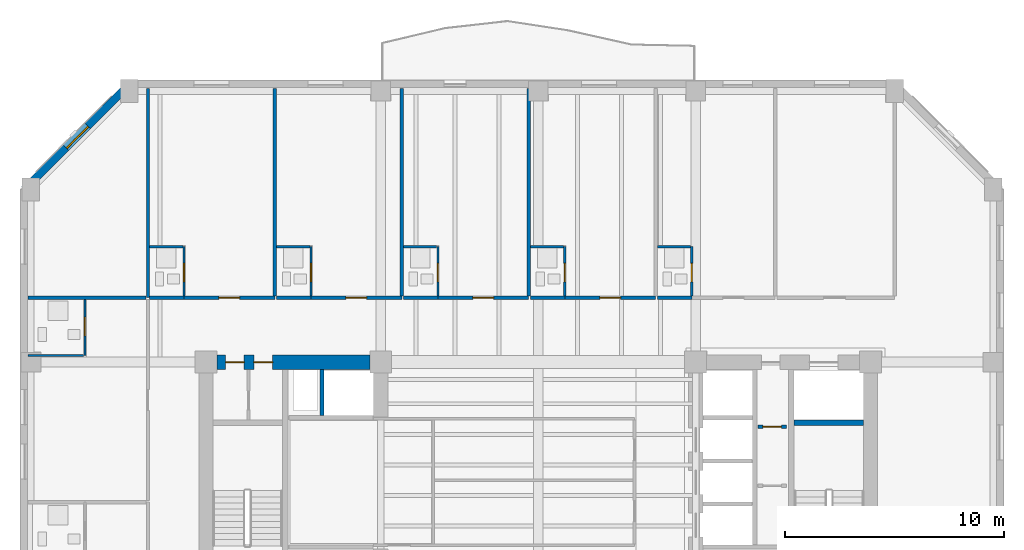
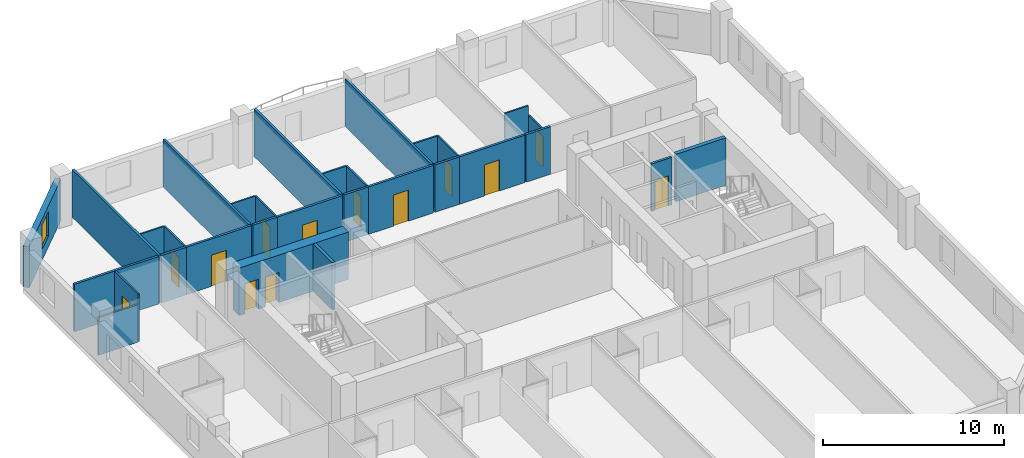
# One storey, part 5 of 11: 31 walls, 13 doors, 1 window, 14 openings.
"""IFC4 building model written with IfcOpenShell, lengths in metres."""

from ifc_helpers import new_model, si_unit, direction, frame, frame_2d, origin, place, context, subcontext, project, spatial, rectangle, extrude, material, layer, layer_set, type_object, element, fill, save


model = new_model("IFC4")

# Units and contexts
model_context = context("Model", 3, precision=1e-05, world=origin(), true_north=direction((0.0, 1.0)))
body_context = subcontext(model_context, "Body", "Model", "MODEL_VIEW")
ifc_project = project(units=[si_unit("LENGTHUNIT", "METRE"), si_unit("AREAUNIT", "SQUARE_METRE"), si_unit("VOLUMEUNIT", "CUBIC_METRE"), si_unit("PLANEANGLEUNIT", "RADIAN"), si_unit("MASSUNIT", "GRAM", prefix="KILO")], contexts=[model_context])

# Site, building, storey
site_placement = place(None, origin())
site = spatial("IfcSite", under=ifc_project, at=site_placement, CompositionType="ELEMENT")
building_placement = place(site_placement, origin())
building = spatial("IfcBuilding", under=site, at=building_placement, Name="Kranthara Brick Stack", CompositionType="ELEMENT")
storey_placement = place(building_placement, frame((0.0, 0.0, 134.300048828125)))
storey = spatial("IfcBuildingStorey", under=building, at=storey_placement, Name="L33", CompositionType="ELEMENT", Elevation=134.300048828125)

# Wall, opening, window
ifc_material_1 = material(Name="Kiln-fired clay brick masonry M15", Category="masonry")
ifc_layer_1 = layer(ifc_material_1, 0.35009765625)
ifc_layer_set_1 = layer_set([ifc_layer_1], Name="Kiln-fired clay brick masonry M15")
wall_type_1 = type_object("IfcWallType", Name="WL-BRK-SPND-350", PredefinedType="STANDARD", material=ifc_layer_set_1)
wall_1_placement = place(storey_placement, frame((4.4951171875, 41.5, 0.0), z_axis=(0.0, 0.0, 1.0), x_axis=(0.707106781187, 0.707106781187, 0.0)))
wall_1 = element("IfcWall", 1, at=wall_1_placement, inside=storey, type_object=wall_type_1, Name="L33 Exterior Brick Facade Wall NW 1", PredefinedType="STANDARD", context=body_context, shape_type="SweptSolid", body=[
    extrude(rectangle(XDim=6.795166015625, YDim=0.35009765625, at=frame_2d((3.3974609375, 0.0))), origin(), (0.0, 0.0, 1.0), 2.784912109375),
])
opening_1_placement = place(wall_1_placement, frame((2.697998046875, 0.0, 0.75)))
opening_1 = element("IfcOpeningElement", 2, at=opening_1_placement, cuts=wall_1, Name="Opening WN10", PredefinedType="OPENING", context=body_context, shape_type="SweptSolid", body=[
    extrude(rectangle(XDim=1.39990234375, YDim=1.64990234375, at=frame_2d((0.699951171875, 0.824951171875))), frame((0.0, 0.18505859375, 0.0), z_axis=(0.0, -1.0, 0.0), x_axis=(1.0, 0.0, 0.0)), (0.0, 0.0, 1.0), 0.3701171875),
])
ifc_material_2 = material(Name="Double-glazed low-E solar control glass", Category="glass")
window_type = type_object("IfcWindowType", Name="WN-CHM-1400x1750", PartitioningType="SINGLE_PANEL", PredefinedType="WINDOW", material=ifc_material_2)
window_placement = place(opening_1_placement, origin())
window = element("IfcWindow", 3, at=window_placement, inside=storey, type_object=window_type, Name="L33 NW Chamfer Corner Window", OverallHeight=1.64990234375, OverallWidth=1.39990234375, PartitioningType="SINGLE_PANEL", PredefinedType="WINDOW", context=body_context, shape_type="SweptSolid", body=[
    extrude(rectangle(XDim=1.39990234375, YDim=1.64990234375, at=frame_2d((0.699951171875, 0.824951171875))), frame((0.0, -0.010009765625, 0.0), z_axis=(0.0, -1.0, 0.0), x_axis=(1.0, 0.0, 0.0)), (0.0, 0.0, 1.0), 0.06005859375),
])
fill(opening_1, window)

# Wall
ifc_material_3 = material(Name="Concrete C50/60", Category="concrete")
ifc_layer_2 = layer(ifc_material_3, 0.25)
ifc_layer_set_2 = layer_set([ifc_layer_2], Name="Concrete C50/60")
wall_type_2 = type_object("IfcWallType", Name="WL-CORE-250", PredefinedType="SHEAR", material=ifc_layer_set_2)
wall_2_placement = place(storey_placement, frame((39.68994140625, 30.830078125, 0.0), z_axis=(0.0, 0.0, 1.0), x_axis=(1.0, 0.0, 0.0)))
element("IfcWall", 4, at=wall_2_placement, inside=storey, type_object=wall_type_2, Name="L33 East Stairwell Bearing Wall EST", PredefinedType="SHEAR", context=body_context, shape_type="SweptSolid", body=[
    extrude(rectangle(XDim=3.175048828125, YDim=0.25, at=frame_2d((1.58740234375, 0.0))), origin(), (0.0, 0.0, 1.0), 3.199951171875),
])

# Wall, openings, doors
ifc_material_4 = material(Name="Concrete C60/75", Category="concrete")
ifc_layer_3 = layer(ifc_material_4, 0.64990234375)
ifc_layer_set_3 = layer_set([ifc_layer_3], Name="Concrete C60/75")
wall_type_3 = type_object("IfcWallType", Name="WL-CORE-650", PredefinedType="SHEAR", material=ifc_layer_set_3)
wall_3_placement = place(storey_placement, frame((13.304931640625, 33.60009765625, 0.0), z_axis=(0.0, 0.0, 1.0), x_axis=(1.0, 0.0, 0.0)))
wall_3 = element("IfcWall", 5, at=wall_3_placement, inside=storey, type_object=wall_type_3, Name="L33 West Core Shear Wall North", PredefinedType="SHEAR", context=body_context, shape_type="SweptSolid", body=[
    extrude(rectangle(XDim=6.989990234375, YDim=0.64990234375, at=frame_2d((3.4951171875, 0.0))), origin(), (0.0, 0.0, 1.0), 3.199951171875),
])
opening_2_placement = place(wall_3_placement, frame((0.39501953125, 0.0, 0.0)))
opening_2 = element("IfcOpeningElement", 6, at=opening_2_placement, cuts=wall_3, Name="Opening D10", PredefinedType="OPENING", context=body_context, shape_type="SweptSolid", body=[
    extrude(rectangle(XDim=0.85009765625, YDim=2.02001953125, at=frame_2d((0.425048828125, 1.010009765625))), frame((0.0, 0.3349609375, 0.0), z_axis=(0.0, -1.0, 0.0), x_axis=(1.0, 0.0, 0.0)), (0.0, 0.0, 1.0), 0.669921875),
])
opening_3_placement = place(wall_3_placement, frame((1.695068359375, 0.0, 0.0)))
opening_3 = element("IfcOpeningElement", 7, at=opening_3_placement, cuts=wall_3, Name="Opening D10", PredefinedType="OPENING", context=body_context, shape_type="SweptSolid", body=[
    extrude(rectangle(XDim=0.85009765625, YDim=2.02001953125, at=frame_2d((0.425048828125, 1.010009765625))), frame((0.0, 0.3349609375, 0.0), z_axis=(0.0, -1.0, 0.0), x_axis=(1.0, 0.0, 0.0)), (0.0, 0.0, 1.0), 0.669921875),
])
ifc_material_5 = material(Name="Solid-core hardwood timber leaf in steel frame", Category="steel")
door_type_1 = type_object("IfcDoorType", Name="DR-RSR-850", OperationType="NOTDEFINED", PredefinedType="DOOR", material=ifc_material_5)
door_1_placement = place(opening_2_placement, origin())
door_1 = element("IfcDoor", 8, at=door_1_placement, inside=storey, type_object=door_type_1, Name="L33 West Core Service Door 1", OperationType="SINGLE_SWING_LEFT", OverallHeight=2.02001953125, OverallWidth=0.85009765625, PredefinedType="DOOR", context=body_context, shape_type="SweptSolid", body=[
    extrude(rectangle(XDim=0.85009765625, YDim=2.02001953125, at=frame_2d((0.425048828125, 1.010009765625))), frame((0.0, 0.02490234375, 0.0), z_axis=(0.0, -1.0, 0.0), x_axis=(1.0, 0.0, 0.0)), (0.0, 0.0, 1.0), 0.050048828125),
])
fill(opening_2, door_1)
door_2_placement = place(opening_3_placement, origin())
door_2 = element("IfcDoor", 9, at=door_2_placement, inside=storey, type_object=door_type_1, Name="L33 West Core Service Door 2", OperationType="SINGLE_SWING_RIGHT", OverallHeight=2.02001953125, OverallWidth=0.85009765625, PredefinedType="DOOR", context=body_context, shape_type="SweptSolid", body=[
    extrude(rectangle(XDim=0.85009765625, YDim=2.02001953125, at=frame_2d((0.425048828125, 1.010009765625))), frame((0.0, 0.02490234375, 0.0), z_axis=(0.0, -1.0, 0.0), x_axis=(1.0, 0.0, 0.0)), (0.0, 0.0, 1.0), 0.050048828125),
])
fill(opening_3, door_2)

# Wall, opening, door
ifc_material_6 = material(Name="Moisture-resistant wet-room partition", Category="other")
ifc_layer_4 = layer(ifc_material_6, 0.10009765625)
ifc_layer_set_4 = layer_set([ifc_layer_4], Name="Moisture-resistant wet-room partition")
wall_type_4 = type_object("IfcWallType", Name="WL-PART-100", PredefinedType="PARTITIONING", material=ifc_layer_set_4)
wall_4_placement = place(storey_placement, frame((11.800048828125, 36.6298828125, 0.0), z_axis=(0.0, 0.0, 1.0), x_axis=(0.0, 1.0, 0.0)))
wall_4 = element("IfcWall", 10, at=wall_4_placement, inside=storey, type_object=wall_type_4, Name="L33 Interior Partition 043", PredefinedType="PARTITIONING", context=body_context, shape_type="SweptSolid", body=[
    extrude(rectangle(XDim=2.25, YDim=0.10009765625, at=frame_2d((1.125, 0.0))), origin(), (0.0, 0.0, 1.0), 3.199951171875),
])
opening_4_placement = place(wall_4_placement, frame((0.639892578125, 0.0, 0.0)))
opening_4 = element("IfcOpeningElement", 11, at=opening_4_placement, cuts=wall_4, Name="Opening D17", PredefinedType="OPENING", context=body_context, shape_type="SweptSolid", body=[
    extrude(rectangle(XDim=0.85009765625, YDim=2.050048828125, at=frame_2d((0.425048828125, 1.02490234375))), frame((0.0, 0.06005859375, 0.0), z_axis=(0.0, -1.0, 0.0), x_axis=(1.0, 0.0, 0.0)), (0.0, 0.0, 1.0), 0.1201171875),
])
ifc_material_7 = material(Name="Solid-core hardwood timber leaf in steel frame", Category="steel")
door_type_2 = type_object("IfcDoorType", Name="DR-WET-850", OperationType="NOTDEFINED", PredefinedType="DOOR", material=ifc_material_7)
door_3_placement = place(opening_4_placement, origin())
door_3 = element("IfcDoor", 12, at=door_3_placement, inside=storey, type_object=door_type_2, Name="L33 Key 07 En-Suite Door 19", OperationType="SINGLE_SWING_LEFT", OverallHeight=2.050048828125, OverallWidth=0.85009765625, PredefinedType="DOOR", context=body_context, shape_type="SweptSolid", body=[
    extrude(rectangle(XDim=0.85009765625, YDim=2.050048828125, at=frame_2d((0.425048828125, 1.02490234375))), frame((0.0, 0.02490234375, 0.0), z_axis=(0.0, -1.0, 0.0), x_axis=(1.0, 0.0, 0.0)), (0.0, 0.0, 1.0), 0.050048828125),
])
fill(opening_4, door_3)

# Wall
wall_5_placement = place(storey_placement, frame((10.22998046875, 38.8798828125, 0.0), z_axis=(0.0, 0.0, 1.0), x_axis=(1.0, 0.0, 0.0)))
element("IfcWall", 13, at=wall_5_placement, inside=storey, type_object=wall_type_4, Name="L33 Interior Partition 044", PredefinedType="PARTITIONING", context=body_context, shape_type="SweptSolid", body=[
    extrude(rectangle(XDim=1.51513671875, YDim=0.10009765625, at=frame_2d((0.757568359375, 0.0))), origin(), (0.0, 0.0, 1.0), 3.199951171875),
])

# Wall, opening, door
wall_6_placement = place(storey_placement, frame((17.60595703125, 36.6298828125, 0.0), z_axis=(0.0, 0.0, 1.0), x_axis=(0.0, 1.0, 0.0)))
wall_6 = element("IfcWall", 14, at=wall_6_placement, inside=storey, type_object=wall_type_4, Name="L33 Interior Partition 048", PredefinedType="PARTITIONING", context=body_context, shape_type="SweptSolid", body=[
    extrude(rectangle(XDim=2.25, YDim=0.10009765625, at=frame_2d((1.125, 0.0))), origin(), (0.0, 0.0, 1.0), 3.199951171875),
])
opening_5_placement = place(wall_6_placement, frame((0.639892578125, 0.0, 0.0)))
opening_5 = element("IfcOpeningElement", 15, at=opening_5_placement, cuts=wall_6, Name="Opening D17", PredefinedType="OPENING", context=body_context, shape_type="SweptSolid", body=[
    extrude(rectangle(XDim=0.85009765625, YDim=2.050048828125, at=frame_2d((0.425048828125, 1.02490234375))), frame((0.0, 0.06005859375, 0.0), z_axis=(0.0, -1.0, 0.0), x_axis=(1.0, 0.0, 0.0)), (0.0, 0.0, 1.0), 0.1201171875),
])
door_4_placement = place(opening_5_placement, origin())
door_4 = element("IfcDoor", 16, at=door_4_placement, inside=storey, type_object=door_type_2, Name="L33 Key 08 En-Suite Door 21", OperationType="SINGLE_SWING_LEFT", OverallHeight=2.050048828125, OverallWidth=0.85009765625, PredefinedType="DOOR", context=body_context, shape_type="SweptSolid", body=[
    extrude(rectangle(XDim=0.85009765625, YDim=2.050048828125, at=frame_2d((0.425048828125, 1.02490234375))), frame((0.0, 0.02490234375, 0.0), z_axis=(0.0, -1.0, 0.0), x_axis=(1.0, 0.0, 0.0)), (0.0, 0.0, 1.0), 0.050048828125),
])
fill(opening_5, door_4)

# Wall
wall_7_placement = place(storey_placement, frame((16.035888671875, 38.8798828125, 0.0), z_axis=(0.0, 0.0, 1.0), x_axis=(1.0, 0.0, 0.0)))
element("IfcWall", 17, at=wall_7_placement, inside=storey, type_object=wall_type_4, Name="L33 Interior Partition 049", PredefinedType="PARTITIONING", context=body_context, shape_type="SweptSolid", body=[
    extrude(rectangle(XDim=1.51513671875, YDim=0.10009765625, at=frame_2d((0.757568359375, 0.0))), origin(), (0.0, 0.0, 1.0), 3.199951171875),
])

# Wall, opening, door
wall_8_placement = place(storey_placement, frame((23.410888671875, 36.6298828125, 0.0), z_axis=(0.0, 0.0, 1.0), x_axis=(0.0, 1.0, 0.0)))
wall_8 = element("IfcWall", 18, at=wall_8_placement, inside=storey, type_object=wall_type_4, Name="L33 Interior Partition 053", PredefinedType="PARTITIONING", context=body_context, shape_type="SweptSolid", body=[
    extrude(rectangle(XDim=2.25, YDim=0.10009765625, at=frame_2d((1.125, 0.0))), origin(), (0.0, 0.0, 1.0), 3.199951171875),
])
opening_6_placement = place(wall_8_placement, frame((0.639892578125, 0.0, 0.0)))
opening_6 = element("IfcOpeningElement", 19, at=opening_6_placement, cuts=wall_8, Name="Opening D17", PredefinedType="OPENING", context=body_context, shape_type="SweptSolid", body=[
    extrude(rectangle(XDim=0.85009765625, YDim=2.050048828125, at=frame_2d((0.425048828125, 1.02490234375))), frame((0.0, 0.06005859375, 0.0), z_axis=(0.0, -1.0, 0.0), x_axis=(1.0, 0.0, 0.0)), (0.0, 0.0, 1.0), 0.1201171875),
])
door_5_placement = place(opening_6_placement, origin())
door_5 = element("IfcDoor", 20, at=door_5_placement, inside=storey, type_object=door_type_2, Name="L33 Key 09 En-Suite Door 23", OperationType="SINGLE_SWING_LEFT", OverallHeight=2.050048828125, OverallWidth=0.85009765625, PredefinedType="DOOR", context=body_context, shape_type="SweptSolid", body=[
    extrude(rectangle(XDim=0.85009765625, YDim=2.050048828125, at=frame_2d((0.425048828125, 1.02490234375))), frame((0.0, 0.02490234375, 0.0), z_axis=(0.0, -1.0, 0.0), x_axis=(1.0, 0.0, 0.0)), (0.0, 0.0, 1.0), 0.050048828125),
])
fill(opening_6, door_5)

# Wall
wall_9_placement = place(storey_placement, frame((21.841064453125, 38.8798828125, 0.0), z_axis=(0.0, 0.0, 1.0), x_axis=(1.0, 0.0, 0.0)))
element("IfcWall", 21, at=wall_9_placement, inside=storey, type_object=wall_type_4, Name="L33 Interior Partition 054", PredefinedType="PARTITIONING", context=body_context, shape_type="SweptSolid", body=[
    extrude(rectangle(XDim=1.514892578125, YDim=0.10009765625, at=frame_2d((0.75732421875, 0.0))), origin(), (0.0, 0.0, 1.0), 3.199951171875),
])

# Wall, opening, door
wall_10_placement = place(storey_placement, frame((29.216064453125, 36.6298828125, 0.0), z_axis=(0.0, 0.0, 1.0), x_axis=(0.0, 1.0, 0.0)))
wall_10 = element("IfcWall", 22, at=wall_10_placement, inside=storey, type_object=wall_type_4, Name="L33 Interior Partition 058", PredefinedType="PARTITIONING", context=body_context, shape_type="SweptSolid", body=[
    extrude(rectangle(XDim=2.25, YDim=0.10009765625, at=frame_2d((1.125, 0.0))), origin(), (0.0, 0.0, 1.0), 3.199951171875),
])
opening_7_placement = place(wall_10_placement, frame((0.639892578125, 0.0, 0.0)))
opening_7 = element("IfcOpeningElement", 23, at=opening_7_placement, cuts=wall_10, Name="Opening D17", PredefinedType="OPENING", context=body_context, shape_type="SweptSolid", body=[
    extrude(rectangle(XDim=0.85009765625, YDim=2.050048828125, at=frame_2d((0.425048828125, 1.02490234375))), frame((0.0, 0.06005859375, 0.0), z_axis=(0.0, -1.0, 0.0), x_axis=(1.0, 0.0, 0.0)), (0.0, 0.0, 1.0), 0.1201171875),
])
door_6_placement = place(opening_7_placement, origin())
door_6 = element("IfcDoor", 24, at=door_6_placement, inside=storey, type_object=door_type_2, Name="L33 Key 10 En-Suite Door 25", OperationType="SINGLE_SWING_LEFT", OverallHeight=2.050048828125, OverallWidth=0.85009765625, PredefinedType="DOOR", context=body_context, shape_type="SweptSolid", body=[
    extrude(rectangle(XDim=0.85009765625, YDim=2.050048828125, at=frame_2d((0.425048828125, 1.02490234375))), frame((0.0, 0.02490234375, 0.0), z_axis=(0.0, -1.0, 0.0), x_axis=(1.0, 0.0, 0.0)), (0.0, 0.0, 1.0), 0.050048828125),
])
fill(opening_7, door_6)

# Wall
wall_11_placement = place(storey_placement, frame((27.64599609375, 38.8798828125, 0.0), z_axis=(0.0, 0.0, 1.0), x_axis=(1.0, 0.0, 0.0)))
element("IfcWall", 25, at=wall_11_placement, inside=storey, type_object=wall_type_4, Name="L33 Interior Partition 059", PredefinedType="PARTITIONING", context=body_context, shape_type="SweptSolid", body=[
    extrude(rectangle(XDim=1.514892578125, YDim=0.10009765625, at=frame_2d((0.75732421875, 0.0))), origin(), (0.0, 0.0, 1.0), 3.199951171875),
])

# Wall, opening, door
wall_12_placement = place(storey_placement, frame((35.02197265625, 36.6298828125, 0.0), z_axis=(0.0, 0.0, 1.0), x_axis=(0.0, 1.0, 0.0)))
wall_12 = element("IfcWall", 26, at=wall_12_placement, inside=storey, type_object=wall_type_4, Name="L33 Interior Partition 063", PredefinedType="PARTITIONING", context=body_context, shape_type="SweptSolid", body=[
    extrude(rectangle(XDim=2.25, YDim=0.10009765625, at=frame_2d((1.125, 0.0))), origin(), (0.0, 0.0, 1.0), 2.534912109375),
])
opening_8_placement = place(wall_12_placement, frame((0.639892578125, 0.0, 0.0)))
opening_8 = element("IfcOpeningElement", 27, at=opening_8_placement, cuts=wall_12, Name="Opening D17", PredefinedType="OPENING", context=body_context, shape_type="SweptSolid", body=[
    extrude(rectangle(XDim=0.85009765625, YDim=2.050048828125, at=frame_2d((0.425048828125, 1.02490234375))), frame((0.0, 0.06005859375, 0.0), z_axis=(0.0, -1.0, 0.0), x_axis=(1.0, 0.0, 0.0)), (0.0, 0.0, 1.0), 0.1201171875),
])
door_7_placement = place(opening_8_placement, origin())
door_7 = element("IfcDoor", 28, at=door_7_placement, inside=storey, type_object=door_type_2, Name="L33 Key 11 En-Suite Door 27", OperationType="SINGLE_SWING_LEFT", OverallHeight=2.050048828125, OverallWidth=0.85009765625, PredefinedType="DOOR", context=body_context, shape_type="SweptSolid", body=[
    extrude(rectangle(XDim=0.85009765625, YDim=2.050048828125, at=frame_2d((0.425048828125, 1.02490234375))), frame((0.0, 0.02490234375, 0.0), z_axis=(0.0, -1.0, 0.0), x_axis=(1.0, 0.0, 0.0)), (0.0, 0.0, 1.0), 0.050048828125),
])
fill(opening_8, door_7)

# Wall
wall_13_placement = place(storey_placement, frame((33.451904296875, 38.8798828125, 0.0), z_axis=(0.0, 0.0, 1.0), x_axis=(1.0, 0.0, 0.0)))
element("IfcWall", 29, at=wall_13_placement, inside=storey, type_object=wall_type_4, Name="L33 Interior Partition 064", PredefinedType="PARTITIONING", context=body_context, shape_type="SweptSolid", body=[
    extrude(rectangle(XDim=1.51513671875, YDim=0.10009765625, at=frame_2d((0.757568359375, 0.0))), origin(), (0.0, 0.0, 1.0), 3.199951171875),
])

# Wall, opening, door
wall_14_placement = place(storey_placement, frame((7.27001953125, 33.89990234375, 0.0), z_axis=(0.0, 0.0, 1.0), x_axis=(0.0, 1.0, 0.0)))
wall_14 = element("IfcWall", 30, at=wall_14_placement, inside=storey, type_object=wall_type_4, Name="L33 Interior Partition 075", PredefinedType="PARTITIONING", context=body_context, shape_type="SweptSolid", body=[
    extrude(rectangle(XDim=2.570068359375, YDim=0.10009765625, at=frame_2d((1.28515625, 0.0))), origin(), (0.0, 0.0, 1.0), 3.199951171875),
])
opening_9_placement = place(wall_14_placement, frame((0.905029296875, 0.0, 0.0)))
opening_9 = element("IfcOpeningElement", 31, at=opening_9_placement, cuts=wall_14, Name="Opening D17", PredefinedType="OPENING", context=body_context, shape_type="SweptSolid", body=[
    extrude(rectangle(XDim=0.85009765625, YDim=2.050048828125, at=frame_2d((0.425048828125, 1.02490234375))), frame((0.0, 0.06005859375, 0.0), z_axis=(0.0, -1.0, 0.0), x_axis=(1.0, 0.0, 0.0)), (0.0, 0.0, 1.0), 0.1201171875),
])
door_8_placement = place(opening_9_placement, origin())
door_8 = element("IfcDoor", 32, at=door_8_placement, inside=storey, type_object=door_type_2, Name="L33 West Key 14 Bath 32", OperationType="SINGLE_SWING_RIGHT", OverallHeight=2.050048828125, OverallWidth=0.85009765625, PredefinedType="DOOR", context=body_context, shape_type="SweptSolid", body=[
    extrude(rectangle(XDim=0.85009765625, YDim=2.050048828125, at=frame_2d((0.425048828125, 1.02490234375))), frame((0.0, 0.02490234375, 0.0), z_axis=(0.0, -1.0, 0.0), x_axis=(1.0, 0.0, 0.0)), (0.0, 0.0, 1.0), 0.050048828125),
])
fill(opening_9, door_8)

# Wall
wall_15_placement = place(storey_placement, frame((4.675048828125, 33.89990234375, 0.0), z_axis=(0.0, 0.0, 1.0), x_axis=(1.0, 0.0, 0.0)))
element("IfcWall", 33, at=wall_15_placement, inside=storey, type_object=wall_type_4, Name="L33 Interior Partition 076", PredefinedType="PARTITIONING", context=body_context, shape_type="SweptSolid", body=[
    extrude(rectangle(XDim=2.5400390625, YDim=0.10009765625, at=frame_2d((1.27001953125, 0.0))), origin(), (0.0, 0.0, 1.0), 2.534912109375),
])

# Wall, opening, door
ifc_material_8 = material(Name="Fire-rated gypsum board partition", Category="other")
ifc_layer_5 = layer(ifc_material_8, 0.14990234375)
ifc_layer_set_5 = layer_set([ifc_layer_5], Name="Fire-rated gypsum board partition")
wall_type_5 = type_object("IfcWallType", Name="WL-PART-150", PredefinedType="PARTITIONING", material=ifc_layer_set_5)
wall_16_placement = place(storey_placement, frame((38.050048828125, 30.64990234375, 0.0), z_axis=(0.0, 0.0, 1.0), x_axis=(1.0, 0.0, 0.0)))
wall_16 = element("IfcWall", 34, at=wall_16_placement, inside=storey, type_object=wall_type_5, Name="L33 Interior Partition 003", PredefinedType="PARTITIONING", context=body_context, shape_type="SweptSolid", body=[
    extrude(rectangle(XDim=1.300048828125, YDim=0.14990234375, at=frame_2d((0.64990234375, 0.0))), origin(), (0.0, 0.0, 1.0), 3.199951171875),
])
opening_10_placement = place(wall_16_placement, frame((0.219970703125, 0.0, 0.0)))
opening_10 = element("IfcOpeningElement", 35, at=opening_10_placement, cuts=wall_16, Name="Opening D10", PredefinedType="OPENING", context=body_context, shape_type="SweptSolid", body=[
    extrude(rectangle(XDim=0.85009765625, YDim=2.02001953125, at=frame_2d((0.425048828125, 1.010009765625))), frame((0.0, 0.0849609375, 0.0), z_axis=(0.0, -1.0, 0.0), x_axis=(1.0, 0.0, 0.0)), (0.0, 0.0, 1.0), 0.169921875),
])
door_9_placement = place(opening_10_placement, origin())
door_9 = element("IfcDoor", 36, at=door_9_placement, inside=storey, type_object=door_type_1, Name="L33 Riser Door 2 03", OperationType="SINGLE_SWING_LEFT", OverallHeight=2.02001953125, OverallWidth=0.85009765625, PredefinedType="DOOR", context=body_context, shape_type="SweptSolid", body=[
    extrude(rectangle(XDim=0.85009765625, YDim=2.02001953125, at=frame_2d((0.425048828125, 1.010009765625))), frame((0.0, 0.02490234375, 0.0), z_axis=(0.0, -1.0, 0.0), x_axis=(1.0, 0.0, 0.0)), (0.0, 0.0, 1.0), 0.050048828125),
])
fill(opening_10, door_9)

# Walls
wall_17_placement = place(storey_placement, frame((10.14990234375, 36.550048828125, 0.0), z_axis=(0.0, 0.0, 1.0), x_axis=(0.0, 1.0, 0.0)))
element("IfcWall", 37, at=wall_17_placement, inside=storey, type_object=wall_type_5, Name="L33 Interior Partition 040", PredefinedType="PARTITIONING", context=body_context, shape_type="SweptSolid", body=[
    extrude(rectangle(XDim=9.574951171875, YDim=0.14990234375, at=frame_2d((4.78759765625, 0.0))), origin(), (0.0, 0.0, 1.0), 3.199951171875),
])
wall_18_placement = place(storey_placement, frame((10.22998046875, 36.550048828125, 0.0), z_axis=(0.0, 0.0, 1.0), x_axis=(1.0, 0.0, 0.0)))
element("IfcWall", 38, at=wall_18_placement, inside=storey, type_object=wall_type_5, Name="L33 Interior Partition 041", PredefinedType="PARTITIONING", context=body_context, shape_type="SweptSolid", body=[
    extrude(rectangle(XDim=1.570068359375, YDim=0.14990234375, at=frame_2d((0.78515625, 0.0))), origin(), (0.0, 0.0, 1.0), 3.199951171875),
])

# Wall, opening, door
wall_19_placement = place(storey_placement, frame((11.800048828125, 36.550048828125, 0.0), z_axis=(0.0, 0.0, 1.0), x_axis=(1.0, 0.0, 0.0)))
wall_19 = element("IfcWall", 39, at=wall_19_placement, inside=storey, type_object=wall_type_5, Name="L33 Interior Partition 042", PredefinedType="PARTITIONING", context=body_context, shape_type="SweptSolid", body=[
    extrude(rectangle(XDim=4.156005859375, YDim=0.14990234375, at=frame_2d((2.078125, 0.0))), origin(), (0.0, 0.0, 1.0), 3.199951171875),
])
opening_11_placement = place(wall_19_placement, frame((1.597900390625, 0.0, 0.0)))
opening_11 = element("IfcOpeningElement", 40, at=opening_11_placement, cuts=wall_19, Name="Opening D09", PredefinedType="OPENING", context=body_context, shape_type="SweptSolid", body=[
    extrude(rectangle(XDim=0.949951171875, YDim=2.10009765625, at=frame_2d((0.47509765625, 1.050048828125))), frame((0.0, 0.0849609375, 0.0), z_axis=(0.0, -1.0, 0.0), x_axis=(1.0, 0.0, 0.0)), (0.0, 0.0, 1.0), 0.169921875),
])
ifc_material_9 = material(Name="Solid-core hardwood timber leaf in steel frame", Category="steel")
door_type_3 = type_object("IfcDoorType", Name="DR-FD-950", OperationType="NOTDEFINED", PredefinedType="DOOR", material=ifc_material_9)
door_10_placement = place(opening_11_placement, origin())
door_10 = element("IfcDoor", 41, at=door_10_placement, inside=storey, type_object=door_type_3, Name="L33 Key 07 Entry 20", OperationType="SINGLE_SWING_RIGHT", OverallHeight=2.10009765625, OverallWidth=0.949951171875, PredefinedType="DOOR", context=body_context, shape_type="SweptSolid", body=[
    extrude(rectangle(XDim=0.949951171875, YDim=2.10009765625, at=frame_2d((0.47509765625, 1.050048828125))), frame((0.0, 0.02490234375, 0.0), z_axis=(0.0, -1.0, 0.0), x_axis=(1.0, 0.0, 0.0)), (0.0, 0.0, 1.0), 0.050048828125),
])
fill(opening_11, door_10)

# Walls
wall_20_placement = place(storey_placement, frame((15.9560546875, 36.6298828125, 0.0), z_axis=(0.0, 0.0, 1.0), x_axis=(0.0, 1.0, 0.0)))
element("IfcWall", 42, at=wall_20_placement, inside=storey, type_object=wall_type_5, Name="L33 Interior Partition 045", PredefinedType="PARTITIONING", context=body_context, shape_type="SweptSolid", body=[
    extrude(rectangle(XDim=9.4951171875, YDim=0.14990234375, at=frame_2d((4.74755859375, 0.0))), origin(), (0.0, 0.0, 1.0), 3.199951171875),
])
wall_21_placement = place(storey_placement, frame((16.035888671875, 36.550048828125, 0.0), z_axis=(0.0, 0.0, 1.0), x_axis=(1.0, 0.0, 0.0)))
element("IfcWall", 43, at=wall_21_placement, inside=storey, type_object=wall_type_5, Name="L33 Interior Partition 046", PredefinedType="PARTITIONING", context=body_context, shape_type="SweptSolid", body=[
    extrude(rectangle(XDim=1.570068359375, YDim=0.14990234375, at=frame_2d((0.78515625, 0.0))), origin(), (0.0, 0.0, 1.0), 3.199951171875),
])

# Wall, opening, door
wall_22_placement = place(storey_placement, frame((17.60595703125, 36.550048828125, 0.0), z_axis=(0.0, 0.0, 1.0), x_axis=(1.0, 0.0, 0.0)))
wall_22 = element("IfcWall", 44, at=wall_22_placement, inside=storey, type_object=wall_type_5, Name="L33 Interior Partition 047", PredefinedType="PARTITIONING", context=body_context, shape_type="SweptSolid", body=[
    extrude(rectangle(XDim=4.155029296875, YDim=0.14990234375, at=frame_2d((2.07763671875, 0.0))), origin(), (0.0, 0.0, 1.0), 3.199951171875),
])
opening_12_placement = place(wall_22_placement, frame((1.596923828125, 0.0, 0.0)))
opening_12 = element("IfcOpeningElement", 45, at=opening_12_placement, cuts=wall_22, Name="Opening D09", PredefinedType="OPENING", context=body_context, shape_type="SweptSolid", body=[
    extrude(rectangle(XDim=0.949951171875, YDim=2.10009765625, at=frame_2d((0.47509765625, 1.050048828125))), frame((0.0, 0.0849609375, 0.0), z_axis=(0.0, -1.0, 0.0), x_axis=(1.0, 0.0, 0.0)), (0.0, 0.0, 1.0), 0.169921875),
])
door_11_placement = place(opening_12_placement, origin())
door_11 = element("IfcDoor", 46, at=door_11_placement, inside=storey, type_object=door_type_3, Name="L33 Key 08 Entry 22", OperationType="SINGLE_SWING_RIGHT", OverallHeight=2.10009765625, OverallWidth=0.949951171875, PredefinedType="DOOR", context=body_context, shape_type="SweptSolid", body=[
    extrude(rectangle(XDim=0.949951171875, YDim=2.10009765625, at=frame_2d((0.47509765625, 1.050048828125))), frame((0.0, 0.02490234375, 0.0), z_axis=(0.0, -1.0, 0.0), x_axis=(1.0, 0.0, 0.0)), (0.0, 0.0, 1.0), 0.050048828125),
])
fill(opening_12, door_11)

# Walls
wall_23_placement = place(storey_placement, frame((21.760986328125, 36.6298828125, 0.0), z_axis=(0.0, 0.0, 1.0), x_axis=(0.0, 1.0, 0.0)))
element("IfcWall", 47, at=wall_23_placement, inside=storey, type_object=wall_type_5, Name="L33 Interior Partition 050", PredefinedType="PARTITIONING", context=body_context, shape_type="SweptSolid", body=[
    extrude(rectangle(XDim=9.4951171875, YDim=0.14990234375, at=frame_2d((4.74755859375, 0.0))), origin(), (0.0, 0.0, 1.0), 3.199951171875),
])
wall_24_placement = place(storey_placement, frame((21.841064453125, 36.550048828125, 0.0), z_axis=(0.0, 0.0, 1.0), x_axis=(1.0, 0.0, 0.0)))
element("IfcWall", 48, at=wall_24_placement, inside=storey, type_object=wall_type_5, Name="L33 Interior Partition 051", PredefinedType="PARTITIONING", context=body_context, shape_type="SweptSolid", body=[
    extrude(rectangle(XDim=1.56982421875, YDim=0.14990234375, at=frame_2d((0.784912109375, 0.0))), origin(), (0.0, 0.0, 1.0), 3.199951171875),
])

# Wall, opening, door
wall_25_placement = place(storey_placement, frame((23.410888671875, 36.550048828125, 0.0), z_axis=(0.0, 0.0, 1.0), x_axis=(1.0, 0.0, 0.0)))
wall_25 = element("IfcWall", 49, at=wall_25_placement, inside=storey, type_object=wall_type_5, Name="L33 Interior Partition 052", PredefinedType="PARTITIONING", context=body_context, shape_type="SweptSolid", body=[
    extrude(rectangle(XDim=4.155029296875, YDim=0.14990234375, at=frame_2d((2.07763671875, 0.0))), origin(), (0.0, 0.0, 1.0), 3.199951171875),
])
opening_13_placement = place(wall_25_placement, frame((1.596923828125, 0.0, 0.0)))
opening_13 = element("IfcOpeningElement", 50, at=opening_13_placement, cuts=wall_25, Name="Opening D09", PredefinedType="OPENING", context=body_context, shape_type="SweptSolid", body=[
    extrude(rectangle(XDim=0.949951171875, YDim=2.10009765625, at=frame_2d((0.47509765625, 1.050048828125))), frame((0.0, 0.0849609375, 0.0), z_axis=(0.0, -1.0, 0.0), x_axis=(1.0, 0.0, 0.0)), (0.0, 0.0, 1.0), 0.169921875),
])
door_12_placement = place(opening_13_placement, origin())
door_12 = element("IfcDoor", 51, at=door_12_placement, inside=storey, type_object=door_type_3, Name="L33 Key 09 Entry 24", OperationType="SINGLE_SWING_RIGHT", OverallHeight=2.10009765625, OverallWidth=0.949951171875, PredefinedType="DOOR", context=body_context, shape_type="SweptSolid", body=[
    extrude(rectangle(XDim=0.949951171875, YDim=2.10009765625, at=frame_2d((0.47509765625, 1.050048828125))), frame((0.0, 0.02490234375, 0.0), z_axis=(0.0, -1.0, 0.0), x_axis=(1.0, 0.0, 0.0)), (0.0, 0.0, 1.0), 0.050048828125),
])
fill(opening_13, door_12)

# Walls
wall_26_placement = place(storey_placement, frame((27.56591796875, 36.6298828125, 0.0), z_axis=(0.0, 0.0, 1.0), x_axis=(0.0, 1.0, 0.0)))
element("IfcWall", 52, at=wall_26_placement, inside=storey, type_object=wall_type_5, Name="L33 Interior Partition 055", PredefinedType="PARTITIONING", context=body_context, shape_type="SweptSolid", body=[
    extrude(rectangle(XDim=9.4951171875, YDim=0.14990234375, at=frame_2d((4.74755859375, 0.0))), origin(), (0.0, 0.0, 1.0), 3.199951171875),
])
wall_27_placement = place(storey_placement, frame((27.64599609375, 36.550048828125, 0.0), z_axis=(0.0, 0.0, 1.0), x_axis=(1.0, 0.0, 0.0)))
element("IfcWall", 53, at=wall_27_placement, inside=storey, type_object=wall_type_5, Name="L33 Interior Partition 056", PredefinedType="PARTITIONING", context=body_context, shape_type="SweptSolid", body=[
    extrude(rectangle(XDim=1.570068359375, YDim=0.14990234375, at=frame_2d((0.78515625, 0.0))), origin(), (0.0, 0.0, 1.0), 3.199951171875),
])

# Wall, opening, door
wall_28_placement = place(storey_placement, frame((29.216064453125, 36.550048828125, 0.0), z_axis=(0.0, 0.0, 1.0), x_axis=(1.0, 0.0, 0.0)))
wall_28 = element("IfcWall", 54, at=wall_28_placement, inside=storey, type_object=wall_type_5, Name="L33 Interior Partition 057", PredefinedType="PARTITIONING", context=body_context, shape_type="SweptSolid", body=[
    extrude(rectangle(XDim=4.156005859375, YDim=0.14990234375, at=frame_2d((2.078125, 0.0))), origin(), (0.0, 0.0, 1.0), 3.199951171875),
])
opening_14_placement = place(wall_28_placement, frame((1.597900390625, 0.0, 0.0)))
opening_14 = element("IfcOpeningElement", 55, at=opening_14_placement, cuts=wall_28, Name="Opening D09", PredefinedType="OPENING", context=body_context, shape_type="SweptSolid", body=[
    extrude(rectangle(XDim=0.949951171875, YDim=2.10009765625, at=frame_2d((0.47509765625, 1.050048828125))), frame((0.0, 0.0849609375, 0.0), z_axis=(0.0, -1.0, 0.0), x_axis=(1.0, 0.0, 0.0)), (0.0, 0.0, 1.0), 0.169921875),
])
door_13_placement = place(opening_14_placement, origin())
door_13 = element("IfcDoor", 56, at=door_13_placement, inside=storey, type_object=door_type_3, Name="L33 Key 10 Entry 26", OperationType="SINGLE_SWING_RIGHT", OverallHeight=2.10009765625, OverallWidth=0.949951171875, PredefinedType="DOOR", context=body_context, shape_type="SweptSolid", body=[
    extrude(rectangle(XDim=0.949951171875, YDim=2.10009765625, at=frame_2d((0.47509765625, 1.050048828125))), frame((0.0, 0.02490234375, 0.0), z_axis=(0.0, -1.0, 0.0), x_axis=(1.0, 0.0, 0.0)), (0.0, 0.0, 1.0), 0.050048828125),
])
fill(opening_14, door_13)

# Walls
wall_29_placement = place(storey_placement, frame((33.451904296875, 36.550048828125, 0.0), z_axis=(0.0, 0.0, 1.0), x_axis=(1.0, 0.0, 0.0)))
element("IfcWall", 57, at=wall_29_placement, inside=storey, type_object=wall_type_5, Name="L33 Interior Partition 061", PredefinedType="PARTITIONING", context=body_context, shape_type="SweptSolid", body=[
    extrude(rectangle(XDim=1.570068359375, YDim=0.14990234375, at=frame_2d((0.78515625, 0.0))), origin(), (0.0, 0.0, 1.0), 3.199951171875),
])
wall_30_placement = place(storey_placement, frame((4.675048828125, 36.550048828125, 0.0), z_axis=(0.0, 0.0, 1.0), x_axis=(1.0, 0.0, 0.0)))
element("IfcWall", 58, at=wall_30_placement, inside=storey, type_object=wall_type_5, Name="L33 Interior Partition 069", PredefinedType="PARTITIONING", context=body_context, shape_type="SweptSolid", body=[
    extrude(rectangle(XDim=5.39501953125, YDim=0.14990234375, at=frame_2d((2.697509765625, 0.0))), origin(), (0.0, 0.0, 1.0), 3.199951171875),
])
ifc_material_10 = material(Name="Gypsum plasterboard on acoustic twin stud", Category="other")
ifc_layer_6 = layer(ifc_material_10, 0.179931640625)
ifc_layer_set_6 = layer_set([ifc_layer_6], Name="Gypsum plasterboard on acoustic twin stud")
wall_type_6 = type_object("IfcWallType", Name="WL-PART-180", PredefinedType="PARTITIONING", material=ifc_layer_set_6)
wall_31_placement = place(storey_placement, frame((18.1201171875, 31.169921875, 0.0), z_axis=(0.0, 0.0, 1.0), x_axis=(0.0, 1.0, 0.0)))
element("IfcWall", 59, at=wall_31_placement, inside=storey, type_object=wall_type_6, Name="L33 PL-07 Shaft Back Wall", PredefinedType="PARTITIONING", context=body_context, shape_type="SweptSolid", body=[
    extrude(rectangle(XDim=2.094970703125, YDim=0.179931640625, at=frame_2d((1.04736328125, 0.0))), origin(), (0.0, 0.0, 1.0), 3.199951171875),
])

save(model, "model.ifc")
